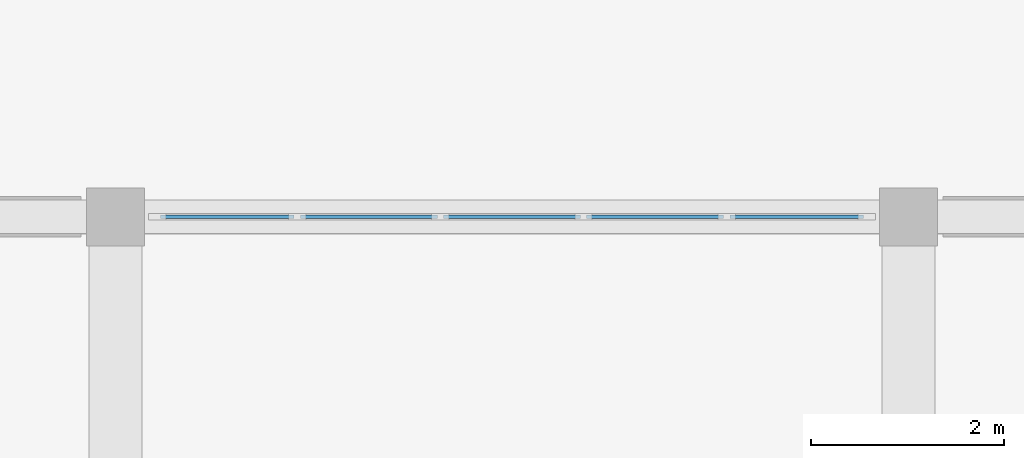
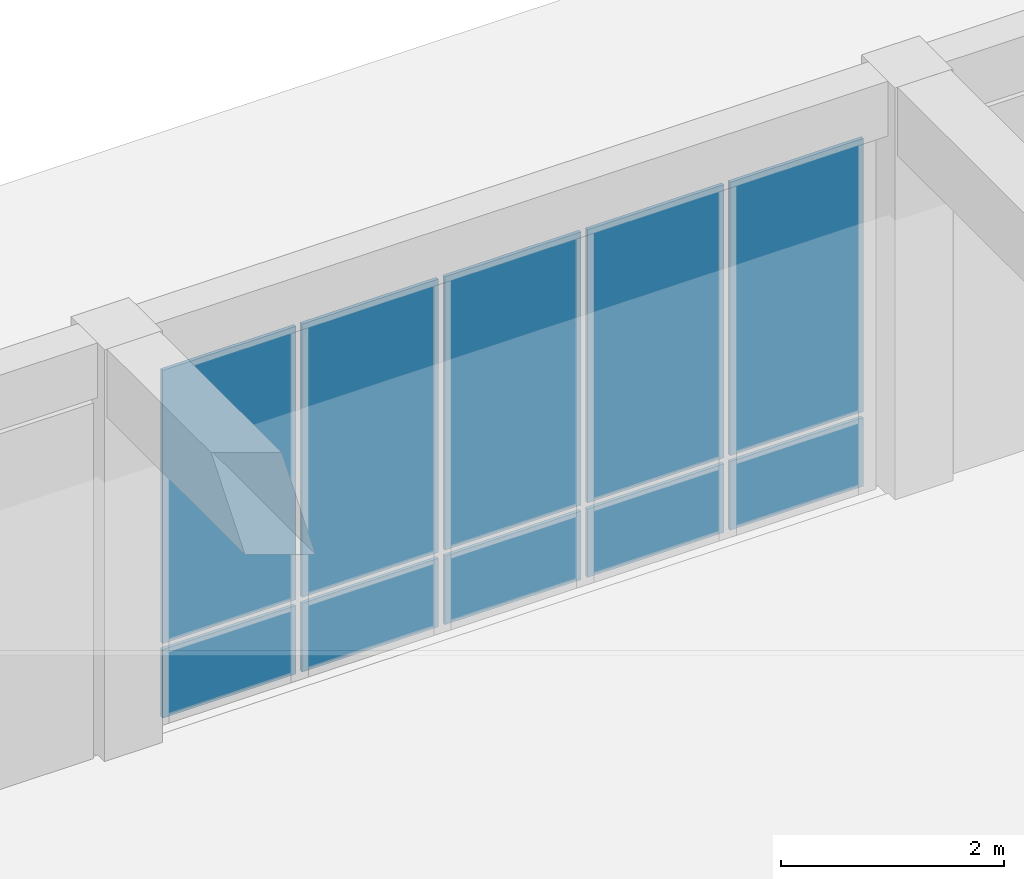
# One storey, part 33 of 57: 10 plates, 1 element without a shape of its own.
"""IFC4 building model written with IfcOpenShell, lengths in metres."""

import ifcopenshell
import ifcopenshell.guid

model = None  # the IFC model being written
_history = None  # IfcOwnerHistory: only IFC2X3 demands one
_inside = {}  # id of a spatial element -> (the spatial element, [elements in it])
_under = {}  # id of a project, library or spatial element -> (it, [spatial elements below it])
_declared = {}  # id of a project -> (the project, [libraries it declares])
_typed = {}  # id of a type object -> (the type object, [elements of that type])
_made_of = {}  # id of a material, layer set ... -> (it, [elements and type objects made of it])


def new_model(schema):
    """Start an empty IFC model of exactly this schema.

    Asked for "IFC4X3", IfcOpenShell would pick the latest addendum, in which some entities
    have other attributes; the version numbers below select the first issue.
    IFC2X3 requires an IfcOwnerHistory on every rooted entity: one is made here for all.
    """
    global model, _history
    if schema == "IFC4X3":
        model = ifcopenshell.file(schema_version=(4, 3, 0, 0))
    else:
        model = ifcopenshell.file(schema=schema)
    _inside.clear()
    _under.clear()
    _declared.clear()
    _typed.clear()
    _made_of.clear()
    _history = None
    if model.schema == "IFC2X3":
        org = make("IfcOrganization", Name="unknown")
        user = make(
            "IfcPersonAndOrganization",
            ThePerson=make("IfcPerson", FamilyName="unknown"),
            TheOrganization=org,
        )
        app = make(
            "IfcApplication",
            ApplicationDeveloper=org,
            Version="unknown",
            ApplicationFullName="unknown",
            ApplicationIdentifier="unknown",
        )
        _history = make(
            "IfcOwnerHistory",
            OwningUser=user,
            OwningApplication=app,
            ChangeAction="ADDED",
            CreationDate=0,
        )
    return model


def make(cls, **values):
    """One entity of the class cls with the attributes given. An attribute that is None is left unset."""
    return model.create_entity(
        cls, **{name: value for name, value in values.items() if value is not None}
    )


def rooted(cls, **values):
    """An entity with a GlobalId (a new one), such as an element, a storey or a relation."""
    return make(cls, GlobalId=ifcopenshell.guid.new(), OwnerHistory=_history, **values)


def si_unit(unit_type, name, prefix=None):
    """IfcSIUnit, for example si_unit("LENGTHUNIT", "METRE", prefix="MILLI")."""
    return make("IfcSIUnit", UnitType=unit_type, Prefix=prefix, Name=name)


def assignment(units):
    """IfcUnitAssignment: the units of a project."""
    return None if units is None else make("IfcUnitAssignment", Units=units)


def point(xyz):
    """IfcCartesianPoint."""
    return None if xyz is None else make("IfcCartesianPoint", Coordinates=xyz)


def direction(xyz):
    """IfcDirection."""
    return None if xyz is None else make("IfcDirection", DirectionRatios=xyz)


def frame(location, z_axis=None, x_axis=None):
    """IfcAxis2Placement3D, a coordinate frame: its origin and axes. An axis left out is left unset."""
    return make(
        "IfcAxis2Placement3D",
        Location=point(location),
        Axis=direction(z_axis),
        RefDirection=direction(x_axis),
    )


def frame_2d(location, x_axis=None):
    """IfcAxis2Placement2D, a coordinate frame in the plane: its origin and x axis."""
    return make(
        "IfcAxis2Placement2D", Location=point(location), RefDirection=direction(x_axis)
    )


def origin():
    """The frame at (0, 0, 0) with its axes left unset."""
    return frame((0.0, 0.0, 0.0))


def origin_2d():
    """The frame at (0, 0) in the plane with its x axis left unset."""
    return frame_2d((0.0, 0.0))


def place(relative_to, where):
    """IfcLocalPlacement: puts the frame where relative to a parent placement (None: the world)."""
    return make(
        "IfcLocalPlacement", PlacementRelTo=relative_to, RelativePlacement=where
    )


def context(
    kind, dimensions, precision=None, world=None, true_north=None, identifier=None
):
    """IfcGeometricRepresentationContext, for example the 3D "Model" context."""
    return make(
        "IfcGeometricRepresentationContext",
        ContextIdentifier=identifier,
        ContextType=kind,
        CoordinateSpaceDimension=dimensions,
        Precision=precision,
        WorldCoordinateSystem=world,
        TrueNorth=true_north,
    )


def subcontext(parent, identifier, kind, view, scale=None):
    """IfcGeometricRepresentationSubContext, for example "Body" below "Model"."""
    return make(
        "IfcGeometricRepresentationSubContext",
        ContextIdentifier=identifier,
        ContextType=kind,
        ParentContext=parent,
        TargetScale=scale,
        TargetView=view,
    )


def project(units=None, contexts=None):
    """IfcProject with its units and contexts."""
    return rooted(
        "IfcProject",
        Name="project",
        RepresentationContexts=contexts,
        UnitsInContext=assignment(units),
    )


def spatial(cls, under=None, at=None, **own):
    """A site, building, storey or space (cls), placed at a placement, below another one or the project."""
    s = rooted(cls, ObjectPlacement=at, **own)
    if under is not None:
        _under.setdefault(under.id(), (under, []))[1].append(s)
    return s


def profile(cls, at=None, kind="AREA", **sizes):
    """A parametric profile (cls). Its sizes go by their IFC names, for example OverallWidth=200.0."""
    return make(cls, ProfileType=kind, Position=at, **sizes)


def rectangle(**sizes):
    """IfcRectangleProfileDef."""
    return profile("IfcRectangleProfileDef", **sizes)


def extrude(swept, where, along, depth):
    """IfcExtrudedAreaSolid: the profile swept, set in the frame where, extruded along a direction by depth."""
    return make(
        "IfcExtrudedAreaSolid",
        SweptArea=swept,
        Position=where,
        ExtrudedDirection=direction(along),
        Depth=depth,
    )


def shape(context_of_items, identifier, shape_type, items):
    """IfcShapeRepresentation: the items that make up one representation, for example the "Body"."""
    return make(
        "IfcShapeRepresentation",
        ContextOfItems=context_of_items,
        RepresentationIdentifier=identifier,
        RepresentationType=shape_type,
        Items=items,
    )


def material(Name=None, Category=None):
    """IfcMaterial."""
    return make("IfcMaterial", Name=Name, Category=Category)


def layer(
    of_material, thickness, ventilated=None, Name=None, Category=None, Priority=None
):
    """IfcMaterialLayer: one layer of a wall or slab, of a material (None: an air gap)."""
    return make(
        "IfcMaterialLayer",
        Material=of_material,
        LayerThickness=thickness,
        IsVentilated=ventilated,
        Name=Name,
        Category=Category,
        Priority=Priority,
    )


def layer_set(layers, Name=None):
    """IfcMaterialLayerSet."""
    return make("IfcMaterialLayerSet", MaterialLayers=layers, LayerSetName=Name)


def made_of(thing, what):
    """Note that an element or type object is made of a material, layer set ...; save() writes the relation."""
    if what is not None:
        _made_of.setdefault(what.id(), (what, []))[1].append(thing)
    return thing


def type_object(cls, material=None, **own):
    """A type object (cls), such as IfcWallType, which elements share."""
    return made_of(rooted(cls, **own), material)


def element(
    cls,
    number,
    at=None,
    inside=None,
    cuts=None,
    type_object=None,
    material=None,
    context=None,
    identifier="Body",
    shape_type=None,
    held_by="IfcProductDefinitionShape",
    body=None,
    shapes=None,
    **own,
):
    """One element of the class cls, such as IfcWall. Its Tag is "e" and its number.

    at: its placement. inside: the storey or other place that contains it. cuts: it is an
    opening in that element (IfcRelVoidsElement). A single representation is given by context,
    identifier, shape_type and body (its items); several are given by shapes. held_by: the class
    of the entity that holds the representations. save() writes the other relations.
    """
    e = rooted(cls, Tag="e%d" % number, ObjectPlacement=at, **own)
    if body is not None:
        shapes = [shape(context, identifier, shape_type, body)]
    if shapes is not None:
        e.Representation = make(held_by, Representations=shapes)
    if inside is not None:
        _inside.setdefault(inside.id(), (inside, []))[1].append(e)
    if cuts is not None:
        rooted(
            "IfcRelVoidsElement", RelatingBuildingElement=cuts, RelatedOpeningElement=e
        )
    if type_object is not None:
        _typed.setdefault(type_object.id(), (type_object, []))[1].append(e)
    return made_of(e, material)


def aggregate(whole, parts):
    """IfcRelAggregates: a whole, such as a stair, and the parts it consists of."""
    return rooted("IfcRelAggregates", RelatingObject=whole, RelatedObjects=parts)


def save(model, path):
    """Write the relations noted so far, then the file.

    IfcRelAggregates (storeys below a building ...), IfcRelContainedInSpatialStructure (elements
    in a storey), IfcRelDefinesByType, IfcRelAssociatesMaterial and IfcRelDeclares: one each for
    every whole, place, type object, material and project.
    """
    for whole, parts in _under.values():
        aggregate(whole, parts)
    for where, things in _inside.values():
        rooted(
            "IfcRelContainedInSpatialStructure",
            RelatedElements=things,
            RelatingStructure=where,
        )
    for kind, things in _typed.values():
        rooted("IfcRelDefinesByType", RelatedObjects=things, RelatingType=kind)
    for what, things in _made_of.values():
        rooted("IfcRelAssociatesMaterial", RelatedObjects=things, RelatingMaterial=what)
    for by, libraries in _declared.values():
        rooted("IfcRelDeclares", RelatingContext=by, RelatedDefinitions=libraries)
    model.write(path)


model = new_model("IFC4")

# Units and contexts
model_context = context("Model", 3, precision=1e-05, world=origin(), true_north=direction((0.0, 1.0)))
body_context = subcontext(model_context, "Body", "Model", "MODEL_VIEW")
ifc_project = project(units=[si_unit("LENGTHUNIT", "METRE"), si_unit("AREAUNIT", "SQUARE_METRE"), si_unit("VOLUMEUNIT", "CUBIC_METRE"), si_unit("PLANEANGLEUNIT", "RADIAN"), si_unit("MASSUNIT", "GRAM", prefix="KILO")], contexts=[model_context])

# Site, building, storey
site_placement = place(None, origin())
site = spatial("IfcSite", under=ifc_project, at=site_placement, CompositionType="ELEMENT")
building_placement = place(site_placement, origin())
building = spatial("IfcBuilding", under=site, at=building_placement, Name="Qandaris Square Conservatory and Botanical Centre", CompositionType="ELEMENT")
storey_placement = place(building_placement, frame((0.0, 0.0, 5.39990234375)))
storey = spatial("IfcBuildingStorey", under=building, at=storey_placement, Name="L01", CompositionType="ELEMENT", Elevation=5.39990234375)

# Curtain wall, plates
ifc_material_1 = material(Name="Anodised Aluminium", Category="aluminium")
curtain_wall_type = type_object("IfcCurtainWallType", Name="Unitised Curtain Wall CW-3-740x394", PredefinedType="USERDEFINED", material=ifc_material_1)
curtain_wall_placement = place(storey_placement, origin())
curtain_wall = element("IfcCurtainWall", 1, at=curtain_wall_placement, inside=storey, type_object=curtain_wall_type, Name="Curtain Wall CW-TWR-L01-3-5", ObjectType="GLAZED CURTAIN WALL", PredefinedType="USERDEFINED")
ifc_material_2 = material(Name="Tempered Low-E Glass", Category="glass")
ifc_layer = layer(ifc_material_2, 0.035888671875)
ifc_layer_set = layer_set([ifc_layer], Name="Tempered Low-E Glass")
plate_type = type_object("IfcPlateType", Name="Double-Glazed Solar Control Vision Unit 36mm", PredefinedType="CURTAIN_PANEL", material=ifc_layer_set)
plate_1_placement = place(storey_placement, frame((129.84375, 107.800048828125, 0.065185546875), z_axis=(0.0, 0.0, 1.0), x_axis=(-1.0, 0.0, 0.0)))
plate_1 = element("IfcPlate", 2, at=plate_1_placement, type_object=plate_type, Name="CW-3-740x394 panel 1.1", PredefinedType="CURTAIN_PANEL", context=body_context, shape_type="SweptSolid", body=[
    extrude(rectangle(XDim=1.382568359375, YDim=0.035888671875, at=origin_2d()), origin(), (0.0, 0.0, 1.0), 0.75244140625),
])
plate_2_placement = place(storey_placement, frame((129.84375, 107.800048828125, 0.882568359375), z_axis=(0.0, 0.0, 1.0), x_axis=(-1.0, 0.0, 0.0)))
plate_2 = element("IfcPlate", 3, at=plate_2_placement, type_object=plate_type, Name="CW-3-740x394 panel 1.2", PredefinedType="CURTAIN_PANEL", context=body_context, shape_type="SweptSolid", body=[
    extrude(rectangle(XDim=1.382568359375, YDim=0.035888671875, at=origin_2d()), origin(), (0.0, 0.0, 1.0), 2.99755859375),
])
plate_3_placement = place(storey_placement, frame((128.3798828125, 107.800048828125, 0.065185546875), z_axis=(0.0, 0.0, 1.0), x_axis=(-1.0, 0.0, 0.0)))
plate_3 = element("IfcPlate", 4, at=plate_3_placement, type_object=plate_type, Name="CW-3-740x394 panel 2.1", PredefinedType="CURTAIN_PANEL", context=body_context, shape_type="SweptSolid", body=[
    extrude(rectangle(XDim=1.4150390625, YDim=0.035888671875, at=origin_2d()), origin(), (0.0, 0.0, 1.0), 0.75244140625),
])
plate_4_placement = place(storey_placement, frame((128.3798828125, 107.800048828125, 0.882568359375), z_axis=(0.0, 0.0, 1.0), x_axis=(-1.0, 0.0, 0.0)))
plate_4 = element("IfcPlate", 5, at=plate_4_placement, type_object=plate_type, Name="CW-3-740x394 panel 2.2", PredefinedType="CURTAIN_PANEL", context=body_context, shape_type="SweptSolid", body=[
    extrude(rectangle(XDim=1.4150390625, YDim=0.035888671875, at=origin_2d()), origin(), (0.0, 0.0, 1.0), 2.99755859375),
])
plate_5_placement = place(storey_placement, frame((126.89990234375, 107.800048828125, 0.065185546875), z_axis=(0.0, 0.0, 1.0), x_axis=(-1.0, 0.0, 0.0)))
plate_5 = element("IfcPlate", 6, at=plate_5_placement, type_object=plate_type, Name="CW-3-740x394 panel 3.1", PredefinedType="CURTAIN_PANEL", context=body_context, shape_type="SweptSolid", body=[
    extrude(rectangle(XDim=1.4150390625, YDim=0.035888671875, at=origin_2d()), origin(), (0.0, 0.0, 1.0), 0.75244140625),
])
plate_6_placement = place(storey_placement, frame((126.89990234375, 107.800048828125, 0.882568359375), z_axis=(0.0, 0.0, 1.0), x_axis=(-1.0, 0.0, 0.0)))
plate_6 = element("IfcPlate", 7, at=plate_6_placement, type_object=plate_type, Name="CW-3-740x394 panel 3.2", PredefinedType="CURTAIN_PANEL", context=body_context, shape_type="SweptSolid", body=[
    extrude(rectangle(XDim=1.4150390625, YDim=0.035888671875, at=origin_2d()), origin(), (0.0, 0.0, 1.0), 2.99755859375),
])
plate_7_placement = place(storey_placement, frame((125.419921875, 107.800048828125, 0.065185546875), z_axis=(0.0, 0.0, 1.0), x_axis=(-1.0, 0.0, 0.0)))
plate_7 = element("IfcPlate", 8, at=plate_7_placement, type_object=plate_type, Name="CW-3-740x394 panel 4.1", PredefinedType="CURTAIN_PANEL", context=body_context, shape_type="SweptSolid", body=[
    extrude(rectangle(XDim=1.4150390625, YDim=0.035888671875, at=origin_2d()), origin(), (0.0, 0.0, 1.0), 0.75244140625),
])
plate_8_placement = place(storey_placement, frame((125.419921875, 107.800048828125, 0.882568359375), z_axis=(0.0, 0.0, 1.0), x_axis=(-1.0, 0.0, 0.0)))
plate_8 = element("IfcPlate", 9, at=plate_8_placement, type_object=plate_type, Name="CW-3-740x394 panel 4.2", PredefinedType="CURTAIN_PANEL", context=body_context, shape_type="SweptSolid", body=[
    extrude(rectangle(XDim=1.4150390625, YDim=0.035888671875, at=origin_2d()), origin(), (0.0, 0.0, 1.0), 2.99755859375),
])
plate_9_placement = place(storey_placement, frame((123.956298828125, 107.800048828125, 0.065185546875), z_axis=(0.0, 0.0, 1.0), x_axis=(-1.0, 0.0, 0.0)))
plate_9 = element("IfcPlate", 10, at=plate_9_placement, type_object=plate_type, Name="CW-3-740x394 panel 5.1", PredefinedType="CURTAIN_PANEL", context=body_context, shape_type="SweptSolid", body=[
    extrude(rectangle(XDim=1.382568359375, YDim=0.035888671875, at=origin_2d()), origin(), (0.0, 0.0, 1.0), 0.75244140625),
])
plate_10_placement = place(storey_placement, frame((123.956298828125, 107.800048828125, 0.882568359375), z_axis=(0.0, 0.0, 1.0), x_axis=(-1.0, 0.0, 0.0)))
plate_10 = element("IfcPlate", 11, at=plate_10_placement, type_object=plate_type, Name="CW-3-740x394 panel 5.2", PredefinedType="CURTAIN_PANEL", context=body_context, shape_type="SweptSolid", body=[
    extrude(rectangle(XDim=1.382568359375, YDim=0.035888671875, at=origin_2d()), origin(), (0.0, 0.0, 1.0), 2.99755859375),
])
aggregate(curtain_wall, [plate_1, plate_2, plate_3, plate_4, plate_5, plate_6, plate_7, plate_8, plate_9, plate_10])

save(model, "model.ifc")
